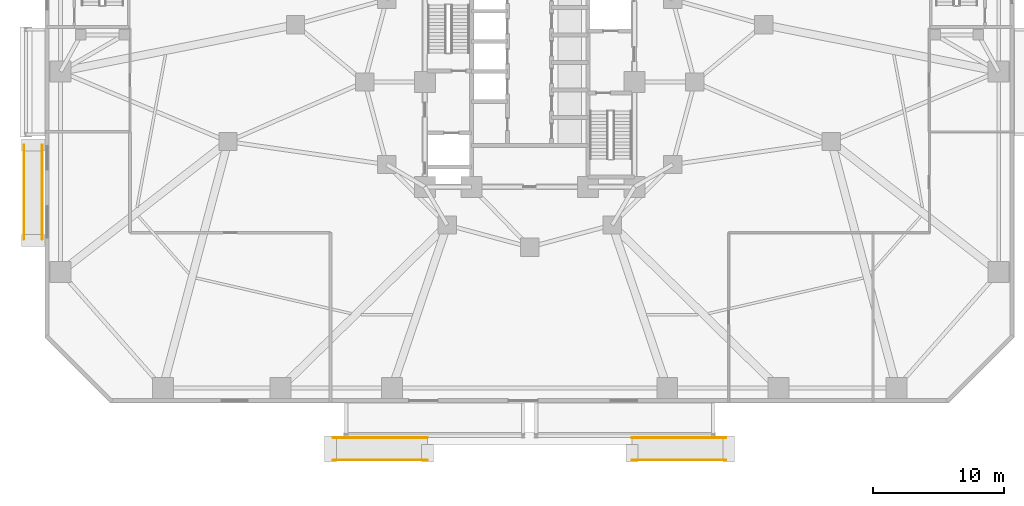
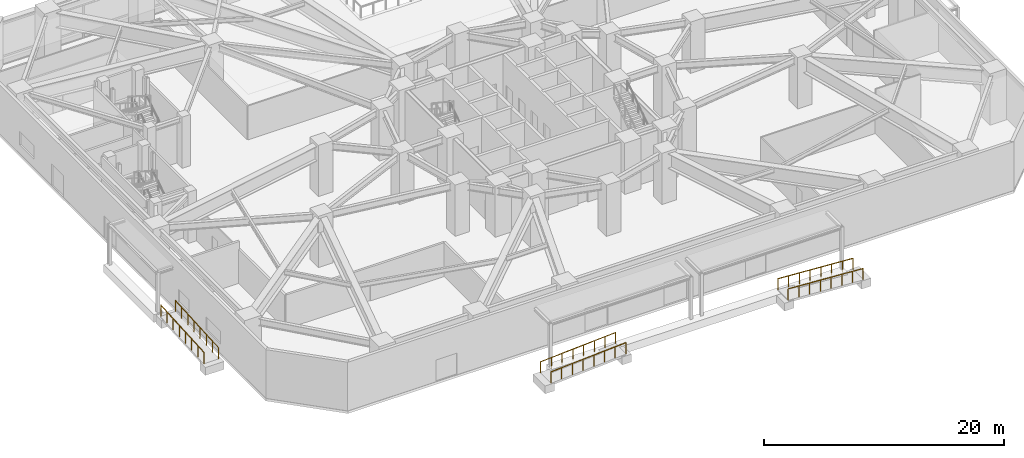
# One storey, part 23 of 30: 6 railings.
"""IFC4 building model written with IfcOpenShell, lengths in metres."""

import ifcopenshell
import ifcopenshell.guid

model = None  # the IFC model being written
_history = None  # IfcOwnerHistory: only IFC2X3 demands one
_inside = {}  # id of a spatial element -> (the spatial element, [elements in it])
_under = {}  # id of a project, library or spatial element -> (it, [spatial elements below it])
_declared = {}  # id of a project -> (the project, [libraries it declares])
_typed = {}  # id of a type object -> (the type object, [elements of that type])
_made_of = {}  # id of a material, layer set ... -> (it, [elements and type objects made of it])


def new_model(schema):
    """Start an empty IFC model of exactly this schema.

    Asked for "IFC4X3", IfcOpenShell would pick the latest addendum, in which some entities
    have other attributes; the version numbers below select the first issue.
    IFC2X3 requires an IfcOwnerHistory on every rooted entity: one is made here for all.
    """
    global model, _history
    if schema == "IFC4X3":
        model = ifcopenshell.file(schema_version=(4, 3, 0, 0))
    else:
        model = ifcopenshell.file(schema=schema)
    _inside.clear()
    _under.clear()
    _declared.clear()
    _typed.clear()
    _made_of.clear()
    _history = None
    if model.schema == "IFC2X3":
        org = make("IfcOrganization", Name="unknown")
        user = make(
            "IfcPersonAndOrganization",
            ThePerson=make("IfcPerson", FamilyName="unknown"),
            TheOrganization=org,
        )
        app = make(
            "IfcApplication",
            ApplicationDeveloper=org,
            Version="unknown",
            ApplicationFullName="unknown",
            ApplicationIdentifier="unknown",
        )
        _history = make(
            "IfcOwnerHistory",
            OwningUser=user,
            OwningApplication=app,
            ChangeAction="ADDED",
            CreationDate=0,
        )
    return model


def make(cls, **values):
    """One entity of the class cls with the attributes given. An attribute that is None is left unset."""
    return model.create_entity(
        cls, **{name: value for name, value in values.items() if value is not None}
    )


def rooted(cls, **values):
    """An entity with a GlobalId (a new one), such as an element, a storey or a relation."""
    return make(cls, GlobalId=ifcopenshell.guid.new(), OwnerHistory=_history, **values)


def si_unit(unit_type, name, prefix=None):
    """IfcSIUnit, for example si_unit("LENGTHUNIT", "METRE", prefix="MILLI")."""
    return make("IfcSIUnit", UnitType=unit_type, Prefix=prefix, Name=name)


def assignment(units):
    """IfcUnitAssignment: the units of a project."""
    return None if units is None else make("IfcUnitAssignment", Units=units)


def point(xyz):
    """IfcCartesianPoint."""
    return None if xyz is None else make("IfcCartesianPoint", Coordinates=xyz)


def direction(xyz):
    """IfcDirection."""
    return None if xyz is None else make("IfcDirection", DirectionRatios=xyz)


def frame(location, z_axis=None, x_axis=None):
    """IfcAxis2Placement3D, a coordinate frame: its origin and axes. An axis left out is left unset."""
    return make(
        "IfcAxis2Placement3D",
        Location=point(location),
        Axis=direction(z_axis),
        RefDirection=direction(x_axis),
    )


def frame_2d(location, x_axis=None):
    """IfcAxis2Placement2D, a coordinate frame in the plane: its origin and x axis."""
    return make(
        "IfcAxis2Placement2D", Location=point(location), RefDirection=direction(x_axis)
    )


def origin():
    """The frame at (0, 0, 0) with its axes left unset."""
    return frame((0.0, 0.0, 0.0))


def origin_2d():
    """The frame at (0, 0) in the plane with its x axis left unset."""
    return frame_2d((0.0, 0.0))


def place(relative_to, where):
    """IfcLocalPlacement: puts the frame where relative to a parent placement (None: the world)."""
    return make(
        "IfcLocalPlacement", PlacementRelTo=relative_to, RelativePlacement=where
    )


def context(
    kind, dimensions, precision=None, world=None, true_north=None, identifier=None
):
    """IfcGeometricRepresentationContext, for example the 3D "Model" context."""
    return make(
        "IfcGeometricRepresentationContext",
        ContextIdentifier=identifier,
        ContextType=kind,
        CoordinateSpaceDimension=dimensions,
        Precision=precision,
        WorldCoordinateSystem=world,
        TrueNorth=true_north,
    )


def subcontext(parent, identifier, kind, view, scale=None):
    """IfcGeometricRepresentationSubContext, for example "Body" below "Model"."""
    return make(
        "IfcGeometricRepresentationSubContext",
        ContextIdentifier=identifier,
        ContextType=kind,
        ParentContext=parent,
        TargetScale=scale,
        TargetView=view,
    )


def project(units=None, contexts=None):
    """IfcProject with its units and contexts."""
    return rooted(
        "IfcProject",
        Name="project",
        RepresentationContexts=contexts,
        UnitsInContext=assignment(units),
    )


def spatial(cls, under=None, at=None, **own):
    """A site, building, storey or space (cls), placed at a placement, below another one or the project."""
    s = rooted(cls, ObjectPlacement=at, **own)
    if under is not None:
        _under.setdefault(under.id(), (under, []))[1].append(s)
    return s


def profile(cls, at=None, kind="AREA", **sizes):
    """A parametric profile (cls). Its sizes go by their IFC names, for example OverallWidth=200.0."""
    return make(cls, ProfileType=kind, Position=at, **sizes)


def circle(**sizes):
    """IfcCircleProfileDef."""
    return profile("IfcCircleProfileDef", **sizes)


def extrude(swept, where, along, depth):
    """IfcExtrudedAreaSolid: the profile swept, set in the frame where, extruded along a direction by depth."""
    return make(
        "IfcExtrudedAreaSolid",
        SweptArea=swept,
        Position=where,
        ExtrudedDirection=direction(along),
        Depth=depth,
    )


def shape(context_of_items, identifier, shape_type, items):
    """IfcShapeRepresentation: the items that make up one representation, for example the "Body"."""
    return make(
        "IfcShapeRepresentation",
        ContextOfItems=context_of_items,
        RepresentationIdentifier=identifier,
        RepresentationType=shape_type,
        Items=items,
    )


def material(Name=None, Category=None):
    """IfcMaterial."""
    return make("IfcMaterial", Name=Name, Category=Category)


def layer(
    of_material, thickness, ventilated=None, Name=None, Category=None, Priority=None
):
    """IfcMaterialLayer: one layer of a wall or slab, of a material (None: an air gap)."""
    return make(
        "IfcMaterialLayer",
        Material=of_material,
        LayerThickness=thickness,
        IsVentilated=ventilated,
        Name=Name,
        Category=Category,
        Priority=Priority,
    )


def layer_set(layers, Name=None):
    """IfcMaterialLayerSet."""
    return make("IfcMaterialLayerSet", MaterialLayers=layers, LayerSetName=Name)


def made_of(thing, what):
    """Note that an element or type object is made of a material, layer set ...; save() writes the relation."""
    if what is not None:
        _made_of.setdefault(what.id(), (what, []))[1].append(thing)
    return thing


def type_object(cls, material=None, **own):
    """A type object (cls), such as IfcWallType, which elements share."""
    return made_of(rooted(cls, **own), material)


def element(
    cls,
    number,
    at=None,
    inside=None,
    cuts=None,
    type_object=None,
    material=None,
    context=None,
    identifier="Body",
    shape_type=None,
    held_by="IfcProductDefinitionShape",
    body=None,
    shapes=None,
    **own,
):
    """One element of the class cls, such as IfcWall. Its Tag is "e" and its number.

    at: its placement. inside: the storey or other place that contains it. cuts: it is an
    opening in that element (IfcRelVoidsElement). A single representation is given by context,
    identifier, shape_type and body (its items); several are given by shapes. held_by: the class
    of the entity that holds the representations. save() writes the other relations.
    """
    e = rooted(cls, Tag="e%d" % number, ObjectPlacement=at, **own)
    if body is not None:
        shapes = [shape(context, identifier, shape_type, body)]
    if shapes is not None:
        e.Representation = make(held_by, Representations=shapes)
    if inside is not None:
        _inside.setdefault(inside.id(), (inside, []))[1].append(e)
    if cuts is not None:
        rooted(
            "IfcRelVoidsElement", RelatingBuildingElement=cuts, RelatedOpeningElement=e
        )
    if type_object is not None:
        _typed.setdefault(type_object.id(), (type_object, []))[1].append(e)
    return made_of(e, material)


def aggregate(whole, parts):
    """IfcRelAggregates: a whole, such as a stair, and the parts it consists of."""
    return rooted("IfcRelAggregates", RelatingObject=whole, RelatedObjects=parts)


def save(model, path):
    """Write the relations noted so far, then the file.

    IfcRelAggregates (storeys below a building ...), IfcRelContainedInSpatialStructure (elements
    in a storey), IfcRelDefinesByType, IfcRelAssociatesMaterial and IfcRelDeclares: one each for
    every whole, place, type object, material and project.
    """
    for whole, parts in _under.values():
        aggregate(whole, parts)
    for where, things in _inside.values():
        rooted(
            "IfcRelContainedInSpatialStructure",
            RelatedElements=things,
            RelatingStructure=where,
        )
    for kind, things in _typed.values():
        rooted("IfcRelDefinesByType", RelatedObjects=things, RelatingType=kind)
    for what, things in _made_of.values():
        rooted("IfcRelAssociatesMaterial", RelatedObjects=things, RelatingMaterial=what)
    for by, libraries in _declared.values():
        rooted("IfcRelDeclares", RelatingContext=by, RelatedDefinitions=libraries)
    model.write(path)


model = new_model("IFC4")

# Units and contexts
model_context = context("Model", 3, precision=1e-05, world=origin(), true_north=direction((0.0, 1.0)))
body_context = subcontext(model_context, "Body", "Model", "MODEL_VIEW")
ifc_project = project(units=[si_unit("LENGTHUNIT", "METRE"), si_unit("AREAUNIT", "SQUARE_METRE"), si_unit("VOLUMEUNIT", "CUBIC_METRE"), si_unit("PLANEANGLEUNIT", "RADIAN"), si_unit("MASSUNIT", "GRAM", prefix="KILO")], contexts=[model_context])

# Site, building, storey
site_placement = place(None, origin())
site = spatial("IfcSite", under=ifc_project, at=site_placement, CompositionType="ELEMENT")
building_placement = place(site_placement, origin())
building = spatial("IfcBuilding", under=site, at=building_placement, Name="Terralouvre Media Tower", CompositionType="ELEMENT")
storey_placement = place(building_placement, origin())
storey = spatial("IfcBuildingStorey", under=building, at=storey_placement, Name="L00", CompositionType="ELEMENT", Elevation=0.0)

# Railings
ifc_material = material(Name="Stainless steel 316 handrail and balustrade", Category="steel")
ifc_layer = layer(ifc_material, 0.06005859375, Name="Roof Edge Safety Guardrail GR-ROOF1")
ifc_layer_set = layer_set([ifc_layer], Name="Stainless steel 316 handrail and balustrade")
railing_type = type_object("IfcRailingType", Name="Roof Edge Safety Guardrail GR-ROOF1", PredefinedType="GUARDRAIL", material=ifc_layer_set)
for number, where, name in (
    (1, (-15.0, -27.14990234375, -0.449951171875), "South Main Plaza Step-Free Entrance Ramp Guardrail L"),
    (2, (-15.0, -28.85009765625, -0.449951171875), "South Main Plaza Step-Free Entrance Ramp Guardrail R"),
):
    element("IfcRailing", number, at=place(storey_placement, frame(where)), inside=storey, type_object=railing_type, Name=name, PredefinedType="GUARDRAIL", context=body_context, shape_type="SweptSolid", body=[
        extrude(circle(Radius=0.02392578125, at=origin_2d()), frame((0.0, 0.0, 1.1259765625), z_axis=(0.998052973513, 0.0, 0.062371965352), x_axis=(0.0, 1.0, 0.0)), (0.0, 0.0, 1.0), 7.214111328125),
        extrude(circle(Radius=0.02099609375, at=origin_2d()), origin(), (0.0, 0.0, 1.0), 1.101806640625),
        extrude(circle(Radius=0.02099609375, at=origin_2d()), frame((1.028564453125, 0.0, 0.064208984375)), (0.0, 0.0, 1.0), 1.101806640625),
        extrude(circle(Radius=0.02099609375, at=origin_2d()), frame((2.05712890625, 0.0, 0.128662109375)), (0.0, 0.0, 1.0), 1.101806640625),
        extrude(circle(Radius=0.02099609375, at=origin_2d()), frame((3.085693359375, 0.0, 0.19287109375)), (0.0, 0.0, 1.0), 1.101806640625),
        extrude(circle(Radius=0.02099609375, at=origin_2d()), frame((4.1142578125, 0.0, 0.257080078125)), (0.0, 0.0, 1.0), 1.101806640625),
        extrude(circle(Radius=0.02099609375, at=origin_2d()), frame((5.142822265625, 0.0, 0.3212890625)), (0.0, 0.0, 1.0), 1.101806640625),
        extrude(circle(Radius=0.02099609375, at=origin_2d()), frame((6.17138671875, 0.0, 0.3857421875)), (0.0, 0.0, 1.0), 1.101806640625),
        extrude(circle(Radius=0.02099609375, at=origin_2d()), frame((7.199951171875, 0.0, 0.449951171875)), (0.0, 0.0, 1.0), 1.101806640625),
    ])
for number, where, name in (
    (3, (15.0, -28.85009765625, -0.449951171875), "South Drop-Off Step-Free Entrance Ramp Guardrail L"),
    (4, (15.0, -27.14990234375, -0.449951171875), "South Drop-Off Step-Free Entrance Ramp Guardrail R"),
):
    element("IfcRailing", number, at=place(storey_placement, frame(where)), inside=storey, type_object=railing_type, Name=name, PredefinedType="GUARDRAIL", context=body_context, shape_type="SweptSolid", body=[
        extrude(circle(Radius=0.02392578125, at=origin_2d()), frame((0.0, 0.0, 1.1259765625), z_axis=(-0.998052973513, 0.0, 0.062371965352), x_axis=(0.0, -1.0, 0.0)), (0.0, 0.0, 1.0), 7.214111328125),
        extrude(circle(Radius=0.02099609375, at=origin_2d()), origin(), (0.0, 0.0, 1.0), 1.101806640625),
        extrude(circle(Radius=0.02099609375, at=origin_2d()), frame((-1.028564453125, 0.0, 0.064208984375)), (0.0, 0.0, 1.0), 1.101806640625),
        extrude(circle(Radius=0.02099609375, at=origin_2d()), frame((-2.05712890625, 0.0, 0.128662109375)), (0.0, 0.0, 1.0), 1.101806640625),
        extrude(circle(Radius=0.02099609375, at=origin_2d()), frame((-3.085693359375, 0.0, 0.19287109375)), (0.0, 0.0, 1.0), 1.101806640625),
        extrude(circle(Radius=0.02099609375, at=origin_2d()), frame((-4.1142578125, 0.0, 0.257080078125)), (0.0, 0.0, 1.0), 1.101806640625),
        extrude(circle(Radius=0.02099609375, at=origin_2d()), frame((-5.142822265625, 0.0, 0.3212890625)), (0.0, 0.0, 1.0), 1.101806640625),
        extrude(circle(Radius=0.02099609375, at=origin_2d()), frame((-6.17138671875, 0.0, 0.3857421875)), (0.0, 0.0, 1.0), 1.101806640625),
        extrude(circle(Radius=0.02099609375, at=origin_2d()), frame((-7.199951171875, 0.0, 0.449951171875)), (0.0, 0.0, 1.0), 1.101806640625),
    ])
for number, where, name in (
    (5, (-38.60009765625, -12.0, -0.449951171875), "West Boulevard Accessible Ramp Guardrail L"),
    (6, (-37.199951171875, -12.0, -0.449951171875), "West Boulevard Accessible Ramp Guardrail R"),
):
    element("IfcRailing", number, at=place(storey_placement, frame(where)), inside=storey, type_object=railing_type, Name=name, PredefinedType="GUARDRAIL", context=body_context, shape_type="SweptSolid", body=[
        extrude(circle(Radius=0.02392578125, at=origin_2d()), frame((0.0, 0.0, 1.1259765625), z_axis=(0.0, 0.998052973513, 0.062371965352), x_axis=(-1.0, 0.0, 0.0)), (0.0, 0.0, 1.0), 7.214111328125),
        extrude(circle(Radius=0.02099609375, at=origin_2d()), origin(), (0.0, 0.0, 1.0), 1.101806640625),
        extrude(circle(Radius=0.02099609375, at=origin_2d()), frame((0.0, 1.028564453125, 0.064208984375)), (0.0, 0.0, 1.0), 1.101806640625),
        extrude(circle(Radius=0.02099609375, at=origin_2d()), frame((0.0, 2.05712890625, 0.128662109375)), (0.0, 0.0, 1.0), 1.101806640625),
        extrude(circle(Radius=0.02099609375, at=origin_2d()), frame((0.0, 3.085693359375, 0.19287109375)), (0.0, 0.0, 1.0), 1.101806640625),
        extrude(circle(Radius=0.02099609375, at=origin_2d()), frame((0.0, 4.1142578125, 0.257080078125)), (0.0, 0.0, 1.0), 1.101806640625),
        extrude(circle(Radius=0.02099609375, at=origin_2d()), frame((0.0, 5.142822265625, 0.3212890625)), (0.0, 0.0, 1.0), 1.101806640625),
        extrude(circle(Radius=0.02099609375, at=origin_2d()), frame((0.0, 6.17138671875, 0.3857421875)), (0.0, 0.0, 1.0), 1.101806640625),
        extrude(circle(Radius=0.02099609375, at=origin_2d()), frame((0.0, 7.199951171875, 0.449951171875)), (0.0, 0.0, 1.0), 1.101806640625),
    ])

save(model, "model.ifc")
